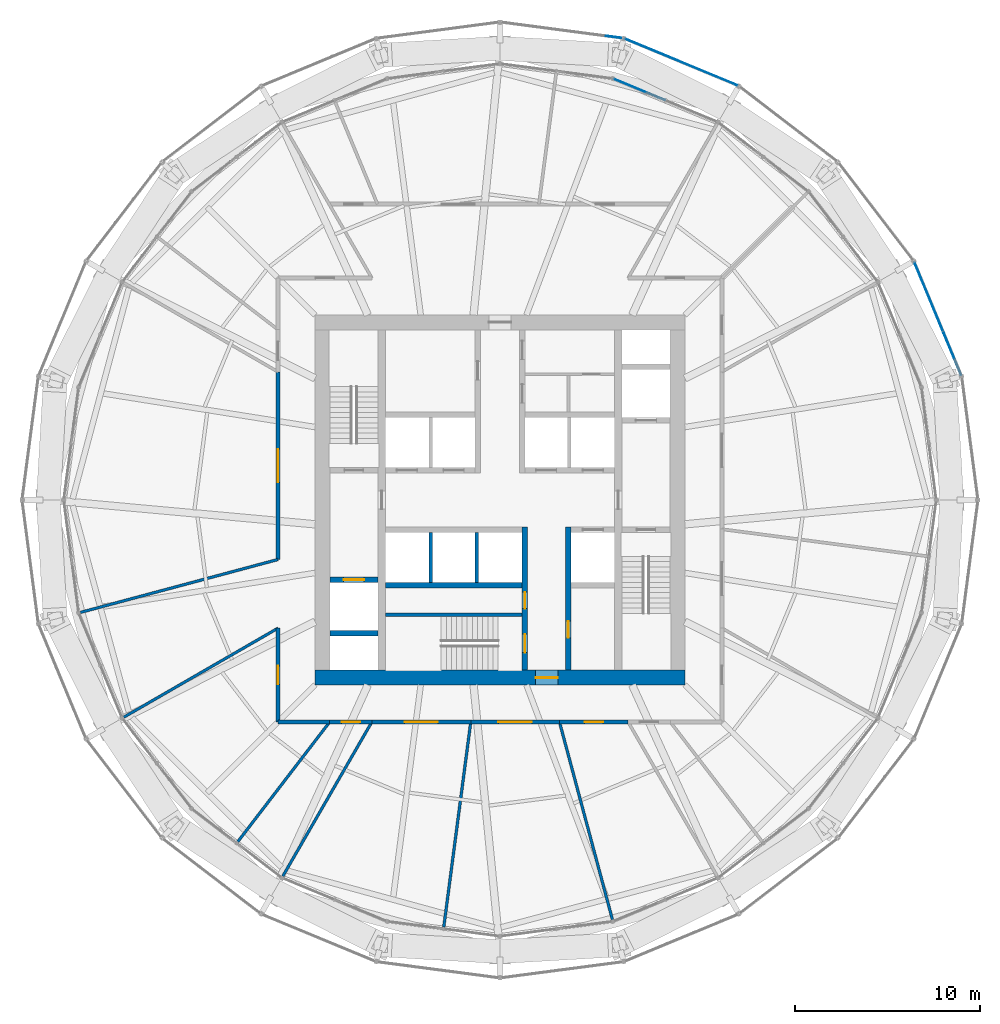
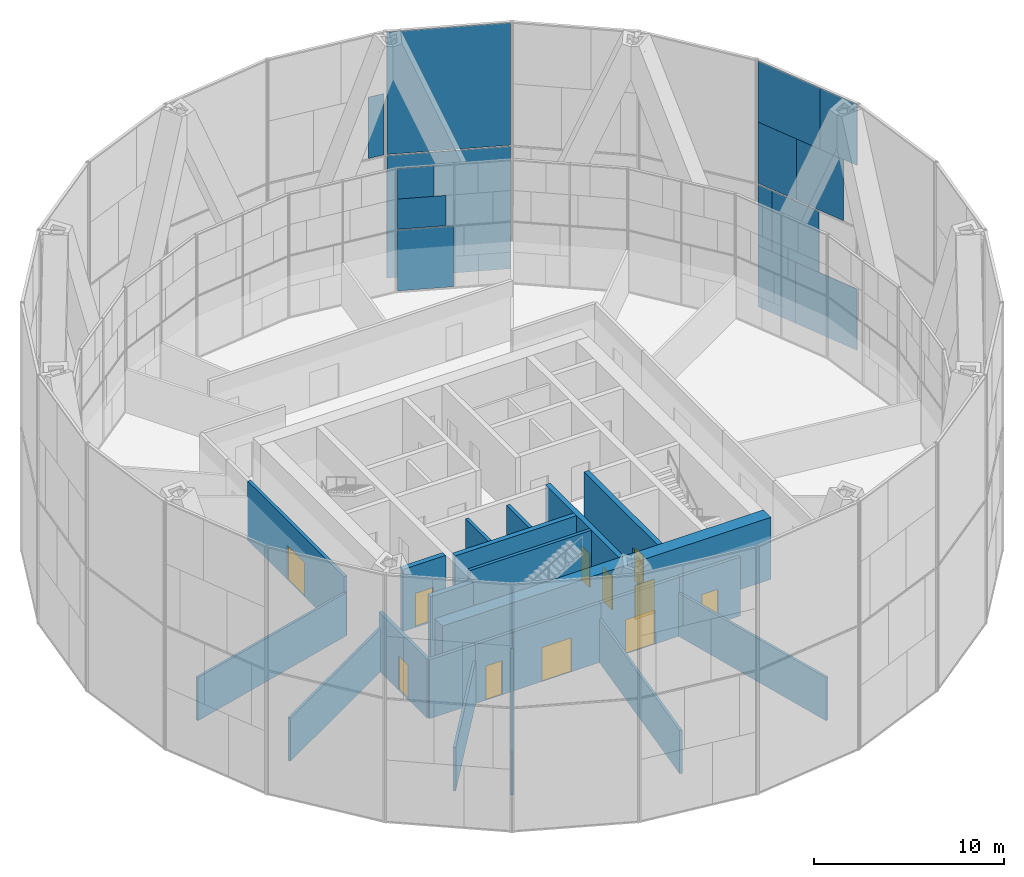
# One storey, part 19 of 22: 22 walls, 14 plates, 11 doors, 11 openings, 4 elements without a shape of their own.
"""IFC4 building model written with IfcOpenShell, lengths in metres."""

from ifc_helpers import new_model, si_unit, direction, frame, frame_2d, origin, origin_2d, place, context, subcontext, project, spatial, rectangle, extrude, material, layer, layer_set, type_object, element, fill, aggregate, save


model = new_model("IFC4")

# Units and contexts
model_context = context("Model", 3, precision=1e-05, world=origin(), true_north=direction((0.0, 1.0)))
body_context = subcontext(model_context, "Body", "Model", "MODEL_VIEW")
ifc_project = project(units=[si_unit("LENGTHUNIT", "METRE"), si_unit("AREAUNIT", "SQUARE_METRE"), si_unit("VOLUMEUNIT", "CUBIC_METRE"), si_unit("PLANEANGLEUNIT", "RADIAN"), si_unit("MASSUNIT", "GRAM", prefix="KILO")], contexts=[model_context])

# Site, building, storey
site_placement = place(None, origin())
site = spatial("IfcSite", under=ifc_project, at=site_placement, CompositionType="ELEMENT")
building_placement = place(site_placement, origin())
building = spatial("IfcBuilding", under=site, at=building_placement, Name="Golbaran Civic Tower", CompositionType="ELEMENT")
storey_placement = place(building_placement, frame((0.0, 0.0, 53.0)))
storey = spatial("IfcBuildingStorey", under=building, at=storey_placement, Name="L12", CompositionType="ELEMENT", Elevation=53.0)

# Curtain wall, plates
ifc_material_1 = material(Name="Aluminium and glass", Category="aluminium")
curtain_wall_type_1 = type_object("IfcCurtainWallType", Name="INNER SKIN CURTAIN WALL", PredefinedType="NOTDEFINED", material=ifc_material_1)
curtain_wall_1_placement = place(storey_placement, origin())
curtain_wall_1 = element("IfcCurtainWall", 1, at=curtain_wall_1_placement, inside=storey, type_object=curtain_wall_type_1, Name="Inner skin L12 facet 5 CW1", ObjectType="INNER SKIN", PredefinedType="USERDEFINED")
ifc_material_2 = material(Name="Clear insulating glass", Category="glass")
ifc_layer_1 = layer(ifc_material_2, 0.031982421875, Name="Clear insulating glass")
ifc_layer_set_1 = layer_set([ifc_layer_1], Name="Clear insulating glass")
plate_type_1 = type_object("IfcPlateType", Name="INNER SKIN CURTAIN WALL GLAZED PANEL", PredefinedType="CURTAIN_PANEL", material=ifc_layer_set_1)
plate_1_placement = place(storey_placement, frame((7.541259765625, 22.18603515625, 0.06494140625), z_axis=(0.0, 0.0, 1.0), x_axis=(-0.923879532491, 0.382683432413, 0.0)))
plate_1 = element("IfcPlate", 2, at=plate_1_placement, type_object=plate_type_1, Name="CW1 panel 2.1", PredefinedType="CURTAIN_PANEL", context=body_context, shape_type="SweptSolid", body=[
    extrude(rectangle(XDim=2.98095703125, YDim=0.031982421875, at=origin_2d()), origin(), (0.0, 0.0, 1.0), 3.902587890625),
])
plate_2_placement = place(storey_placement, frame((7.3564453125, 22.2626953125, 4.032470703125), z_axis=(0.0, 0.0, 1.0), x_axis=(-0.923879532491, 0.382683432413, 0.0)))
plate_2 = element("IfcPlate", 3, at=plate_2_placement, type_object=plate_type_1, Name="CW1 panel 2.2 part 2", PredefinedType="CURTAIN_PANEL", context=body_context, shape_type="SweptSolid", body=[
    extrude(rectangle(XDim=2.5810546875, YDim=0.031982421875, at=origin_2d()), origin(), (0.0, 0.0, 1.0), 1.951171875),
])
plate_3_placement = place(storey_placement, frame((7.05859375, 22.385986328125, 5.98388671875), z_axis=(0.0, 0.0, 1.0), x_axis=(-0.923879532491, 0.382683432413, 0.0)))
plate_3 = element("IfcPlate", 4, at=plate_3_placement, type_object=plate_type_1, Name="CW1 panel 2.2 part 4", PredefinedType="CURTAIN_PANEL", context=body_context, shape_type="SweptSolid", body=[
    extrude(rectangle(XDim=1.93603515625, YDim=0.031982421875, at=origin_2d()), origin(), (0.0, 0.0, 1.0), 1.951171875),
])
aggregate(curtain_wall_1, [plate_1, plate_2, plate_3])

curtain_wall_type_2 = type_object("IfcCurtainWallType", Name="OUTER SKIN TERRACOTTA SCREEN", PredefinedType="NOTDEFINED", material=ifc_material_1)
curtain_wall_2_placement = place(storey_placement, origin())
curtain_wall_2 = element("IfcCurtainWall", 5, at=curtain_wall_2_placement, inside=storey, type_object=curtain_wall_type_2, Name="Outer skin L12 facet 2 CW3", ObjectType="OUTER SKIN", PredefinedType="USERDEFINED")
ifc_material_3 = material(Name="Clear laminated glass", Category="glass")
ifc_layer_2 = layer(ifc_material_3, 0.0400390625, Name="Clear laminated glass")
ifc_layer_set_2 = layer_set([ifc_layer_2], Name="Clear laminated glass")
plate_type_2 = type_object("IfcPlateType", Name="OUTER SKIN CLEAR GLASS PANEL", PredefinedType="CURTAIN_PANEL", material=ifc_layer_set_2)
plate_4_placement = place(storey_placement, frame((24.14453125, 8.658203125, -0.6298828125), z_axis=(0.0, 0.0, 1.0), x_axis=(-0.382683432349, 0.923879532518, 0.0)))
plate_4 = element("IfcPlate", 6, at=plate_4_placement, type_object=plate_type_2, Name="CW3 panel 1.1 part 1", PredefinedType="CURTAIN_PANEL", context=body_context, shape_type="SweptSolid", body=[
    extrude(rectangle(XDim=4.10498046875, YDim=0.0400390625, at=origin_2d()), origin(), (0.0, 0.0, 1.0), 3.93994140625),
])
plate_5_placement = place(storey_placement, frame((22.588623046875, 12.414306640625, 3.31005859375), z_axis=(0.0, 0.0, 1.0), x_axis=(-0.382683432349, 0.923879532518, 0.0)))
plate_5 = element("IfcPlate", 7, at=plate_5_placement, type_object=plate_type_2, Name="CW3 panel 1.1 part 5", PredefinedType="CURTAIN_PANEL", context=body_context, shape_type="SweptSolid", body=[
    extrude(rectangle(XDim=0.935791015625, YDim=0.0400390625, at=origin_2d()), origin(), (0.0, 0.0, 1.0), 3.93994140625),
])
plate_6_placement = place(storey_placement, frame((22.89794921875, 11.667236328125, 7.330078125), z_axis=(0.0, 0.0, 1.0), x_axis=(-0.382683432349, 0.923879532518, 0.0)))
plate_6 = element("IfcPlate", 8, at=plate_6_placement, type_object=plate_type_2, Name="CW3 panel 1.2 part 3", PredefinedType="CURTAIN_PANEL", context=body_context, shape_type="SweptSolid", body=[
    extrude(rectangle(XDim=2.552734375, YDim=0.0400390625, at=origin_2d()), origin(), (0.0, 0.0, 1.0), 3.93994140625),
])
plate_7_placement = place(storey_placement, frame((23.201416015625, 10.93505859375, 11.27001953125), z_axis=(0.0, 0.0, 1.0), x_axis=(-0.382683432349, 0.923879532518, 0.0)))
plate_7 = element("IfcPlate", 9, at=plate_7_placement, type_object=plate_type_2, Name="CW3 panel 1.2 part 5", PredefinedType="CURTAIN_PANEL", context=body_context, shape_type="SweptSolid", body=[
    extrude(rectangle(XDim=4.137939453125, YDim=0.0400390625, at=origin_2d()), origin(), (0.0, 0.0, 1.0), 3.93994140625),
])

# Curtain wall, plate
curtain_wall_3_placement = place(storey_placement, origin())
curtain_wall_3 = element("IfcCurtainWall", 10, at=curtain_wall_3_placement, inside=storey, type_object=curtain_wall_type_2, Name="Outer skin L12 facet 6 CW3", ObjectType="OUTER SKIN", PredefinedType="USERDEFINED")
plate_8_placement = place(storey_placement, frame((6.169677734375, 25.02880859375, 7.330078125), z_axis=(0.0, 0.0, 1.0), x_axis=(-0.991444861369, 0.130526192255, 0.0)))
plate_8 = element("IfcPlate", 11, at=plate_8_placement, type_object=plate_type_2, Name="CW3 panel 1.2 part 1", PredefinedType="CURTAIN_PANEL", context=body_context, shape_type="SweptSolid", body=[
    extrude(rectangle(XDim=0.885986328125, YDim=0.0400390625, at=origin_2d()), origin(), (0.0, 0.0, 1.0), 3.93994140625),
])
aggregate(curtain_wall_3, [plate_8])

# Plate
ifc_material_4 = material(Name="Terracotta baguette screen", Category="masonry")
ifc_layer_3 = layer(ifc_material_4, 0.0400390625, Name="Terracotta baguette screen")
ifc_layer_set_3 = layer_set([ifc_layer_3], Name="Terracotta baguette screen")
plate_type_3 = type_object("IfcPlateType", Name="OUTER SKIN TERRACOTTA INFILL PANEL", PredefinedType="CURTAIN_PANEL", material=ifc_layer_set_3)
plate_9_placement = place(storey_placement, frame((22.88427734375, 11.70068359375, -0.6298828125), z_axis=(0.0, 0.0, 1.0), x_axis=(-0.382683432349, 0.923879532518, 0.0)))
plate_9 = element("IfcPlate", 12, at=plate_9_placement, type_object=plate_type_3, Name="CW3 infill panel 1.1 part 2", PredefinedType="CURTAIN_PANEL", context=body_context, shape_type="SweptSolid", body=[
    extrude(rectangle(XDim=2.48095703125, YDim=0.0400390625, at=origin_2d()), origin(), (0.0, 0.0, 1.0), 3.93994140625),
])

plate_10_placement = place(storey_placement, frame((23.368408203125, 10.531982421875, 3.31005859375), z_axis=(0.0, 0.0, 1.0), x_axis=(-0.382683432349, 0.923879532518, 0.0)))
plate_10 = element("IfcPlate", 13, at=plate_10_placement, type_object=plate_type_3, Name="CW3 infill panel 1.1 part 4", PredefinedType="CURTAIN_PANEL", context=body_context, shape_type="SweptSolid", body=[
    extrude(rectangle(XDim=3.138916015625, YDim=0.0400390625, at=origin_2d()), origin(), (0.0, 0.0, 1.0), 3.93994140625),
])

plate_11_placement = place(storey_placement, frame((23.98876953125, 9.034423828125, 7.330078125), z_axis=(0.0, 0.0, 1.0), x_axis=(-0.382683432349, 0.923879532518, 0.0)))
plate_11 = element("IfcPlate", 14, at=plate_11_placement, type_object=plate_type_3, Name="CW3 infill panel 1.2 part 2", PredefinedType="CURTAIN_PANEL", context=body_context, shape_type="SweptSolid", body=[
    extrude(rectangle(XDim=3.14697265625, YDim=0.0400390625, at=origin_2d()), origin(), (0.0, 0.0, 1.0), 3.93994140625),
])

plate_12_placement = place(storey_placement, frame((24.46142578125, 7.892822265625, 11.27001953125), z_axis=(0.0, 0.0, 1.0), x_axis=(-0.382683432349, 0.923879532518, 0.0)))
plate_12 = element("IfcPlate", 15, at=plate_12_placement, type_object=plate_type_3, Name="CW3 infill panel 1.2 part 4", PredefinedType="CURTAIN_PANEL", context=body_context, shape_type="SweptSolid", body=[
    extrude(rectangle(XDim=2.447998046875, YDim=0.0400390625, at=origin_2d()), origin(), (0.0, 0.0, 1.0), 3.93994140625),
])

aggregate(curtain_wall_2, [plate_4, plate_9, plate_10, plate_5, plate_11, plate_6, plate_12, plate_7])

# Curtain wall, plates
curtain_wall_4_placement = place(storey_placement, origin())
curtain_wall_4 = element("IfcCurtainWall", 16, at=curtain_wall_4_placement, inside=storey, type_object=curtain_wall_type_2, Name="Outer skin L12 facet 5 CW3", ObjectType="OUTER SKIN", PredefinedType="USERDEFINED")
ifc_layer_4 = layer(ifc_material_4, 0.0400390625, Name="Terracotta baguette screen")
ifc_layer_set_4 = layer_set([ifc_layer_4], Name="Terracotta baguette screen")
plate_type_4 = type_object("IfcPlateType", Name="OUTER SKIN TERRACOTTA SCREEN PANEL", PredefinedType="CURTAIN_PANEL", material=ifc_layer_set_4)
plate_13_placement = place(storey_placement, frame((9.804443359375, 23.669677734375, -0.6298828125), z_axis=(0.0, 0.0, 1.0), x_axis=(-0.923879532518, 0.382683432349, 0.0)))
plate_13 = element("IfcPlate", 17, at=plate_13_placement, type_object=plate_type_4, Name="CW3 terracotta screen panel 1.1", PredefinedType="CURTAIN_PANEL", context=body_context, shape_type="SweptSolid", body=[
    extrude(rectangle(XDim=6.5859375, YDim=0.0400390625, at=origin_2d()), origin(), (0.0, 0.0, 1.0), 7.8798828125),
])
plate_14_placement = place(storey_placement, frame((9.804443359375, 23.669677734375, 7.330078125), z_axis=(0.0, 0.0, 1.0), x_axis=(-0.923879532518, 0.382683432349, 0.0)))
plate_14 = element("IfcPlate", 18, at=plate_14_placement, type_object=plate_type_4, Name="CW3 terracotta screen panel 1.2", PredefinedType="CURTAIN_PANEL", context=body_context, shape_type="SweptSolid", body=[
    extrude(rectangle(XDim=6.5859375, YDim=0.0400390625, at=origin_2d()), origin(), (0.0, 0.0, 1.0), 7.8798828125),
])
aggregate(curtain_wall_4, [plate_13, plate_14])

# Wall, opening, door
ifc_material_5 = material(Name="Concrete C50/60", Category="concrete")
ifc_layer_5 = layer(ifc_material_5, 0.800048828125, Name="Concrete C50/60")
ifc_layer_set_5 = layer_set([ifc_layer_5], Name="Concrete C50/60")
wall_type_1 = type_object("IfcWallType", Name="CORE WALL CONCRETE 800", PredefinedType="SOLIDWALL", material=ifc_layer_set_5)
wall_1_placement = place(storey_placement, frame((10.0, -9.60009765625, 0.0), z_axis=(0.0, 0.0, 1.0), x_axis=(-1.0, 0.0, 0.0)))
wall_1 = element("IfcWall", 19, at=wall_1_placement, inside=storey, type_object=wall_type_1, Name="Core wall CS L12", PredefinedType="SOLIDWALL", context=body_context, shape_type="SweptSolid", body=[
    extrude(rectangle(XDim=20.0, YDim=0.800048828125, at=frame_2d((10.0, 0.0))), origin(), (0.0, 0.0, 1.0), 4.0),
])
opening_1_placement = place(wall_1_placement, frame((6.875, 0.0, 0.0)))
opening_1 = element("IfcOpeningElement", 20, at=opening_1_placement, cuts=wall_1, Name="Opening L12.CS", PredefinedType="OPENING", context=body_context, shape_type="SweptSolid", body=[
    extrude(rectangle(XDim=1.199951171875, YDim=2.199951171875, at=frame_2d((0.60009765625, 1.10009765625))), frame((0.0, 0.409912109375, 0.0), z_axis=(0.0, -1.0, 0.0), x_axis=(1.0, 0.0, 0.0)), (0.0, 0.0, 1.0), 0.820068359375),
])
ifc_material_6 = material(Name="Timber door set in steel frame", Category="steel")
door_type_1 = type_object("IfcDoorType", Name="CORE DOOR 1200x2200", OperationType="DOUBLE_DOOR_SINGLE_SWING", PredefinedType="DOOR", material=ifc_material_6)
door_1_placement = place(opening_1_placement, origin())
door_1 = element("IfcDoor", 21, at=door_1_placement, inside=storey, type_object=door_type_1, Name="Core door south", OperationType="DOUBLE_DOOR_SINGLE_SWING", OverallHeight=2.199951171875, OverallWidth=1.199951171875, PredefinedType="DOOR", context=body_context, shape_type="SweptSolid", body=[
    extrude(rectangle(XDim=1.199951171875, YDim=2.199951171875, at=frame_2d((0.60009765625, 1.10009765625))), frame((0.0, 0.02490234375, 0.0), z_axis=(0.0, -1.0, 0.0), x_axis=(1.0, 0.0, 0.0)), (0.0, 0.0, 1.0), 0.050048828125),
])
fill(opening_1, door_1)

ifc_material_7 = material(Name="Gypsum board on steel studs, fire-rated", Category="steel")
ifc_layer_6 = layer(ifc_material_7, 0.199951171875, Name="Gypsum board on steel studs, fire-rated")
ifc_layer_set_6 = layer_set([ifc_layer_6], Name="Gypsum board on steel studs, fire-rated")
wall_type_2 = type_object("IfcWallType", Name="CORRIDOR WALL 200", PredefinedType="PARTITIONING", material=ifc_layer_set_6)
wall_2_placement = place(storey_placement, frame((-12.0, 6.92822265625, 0.0), z_axis=(0.0, 0.0, 1.0), x_axis=(0.0, -1.0, 0.0)))
wall_2 = element("IfcWall", 22, at=wall_2_placement, inside=storey, type_object=wall_type_2, Name="Corridor wall L12", PredefinedType="PARTITIONING", context=body_context, shape_type="SweptSolid", body=[
    extrude(rectangle(XDim=10.1435546875, YDim=0.199951171875, at=frame_2d((5.07177734375, 0.0))), origin(), (0.0, 0.0, 1.0), 3.800048828125),
])
opening_2_placement = place(wall_2_placement, frame((4.171875, 0.0, 0.0)))
opening_2 = element("IfcOpeningElement", 23, at=opening_2_placement, cuts=wall_2, Name="Opening L12.10", PredefinedType="OPENING", context=body_context, shape_type="SweptSolid", body=[
    extrude(rectangle(XDim=1.800048828125, YDim=2.199951171875, at=frame_2d((0.89990234375, 1.10009765625))), frame((0.0, 0.10986328125, 0.0), z_axis=(0.0, -1.0, 0.0), x_axis=(1.0, 0.0, 0.0)), (0.0, 0.0, 1.0), 0.219970703125),
])
door_type_2 = type_object("IfcDoorType", Name="OFFICE DOUBLE DOOR 1800x2200", OperationType="DOUBLE_DOOR_SINGLE_SWING", PredefinedType="DOOR", material=ifc_material_6)
door_2_placement = place(opening_2_placement, origin())
door_2 = element("IfcDoor", 24, at=door_2_placement, inside=storey, type_object=door_type_2, Name="Meeting Room door L12", OperationType="DOUBLE_DOOR_SINGLE_SWING", OverallHeight=2.199951171875, OverallWidth=1.800048828125, PredefinedType="DOOR", context=body_context, shape_type="SweptSolid", body=[
    extrude(rectangle(XDim=1.800048828125, YDim=2.199951171875, at=frame_2d((0.89990234375, 1.10009765625))), frame((0.0, 0.02490234375, 0.0), z_axis=(0.0, -1.0, 0.0), x_axis=(1.0, 0.0, 0.0)), (0.0, 0.0, 1.0), 0.050048828125),
])
fill(opening_2, door_2)

wall_3_placement = place(storey_placement, frame((-12.0, -6.92822265625, 0.0), z_axis=(0.0, 0.0, 1.0), x_axis=(0.0, -1.0, 0.0)))
wall_3 = element("IfcWall", 25, at=wall_3_placement, inside=storey, type_object=wall_type_2, Name="Corridor wall L12", PredefinedType="PARTITIONING", context=body_context, shape_type="SweptSolid", body=[
    extrude(rectangle(XDim=5.07177734375, YDim=0.199951171875, at=frame_2d((2.535888671875, 0.0))), origin(), (0.0, 0.0, 1.0), 3.800048828125),
])
opening_3_placement = place(wall_3_placement, frame((2.035888671875, 0.0, 0.0)))
opening_3 = element("IfcOpeningElement", 26, at=opening_3_placement, cuts=wall_3, Name="Opening L12.11", PredefinedType="OPENING", context=body_context, shape_type="SweptSolid", body=[
    extrude(rectangle(XDim=1.0, YDim=2.199951171875, at=frame_2d((0.5, 1.10009765625))), frame((0.0, 0.10986328125, 0.0), z_axis=(0.0, -1.0, 0.0), x_axis=(1.0, 0.0, 0.0)), (0.0, 0.0, 1.0), 0.219970703125),
])
door_type_3 = type_object("IfcDoorType", Name="OFFICE DOOR 1000x2200", OperationType="SINGLE_SWING_LEFT", PredefinedType="DOOR", material=ifc_material_6)
door_3_placement = place(opening_3_placement, origin())
door_3 = element("IfcDoor", 27, at=door_3_placement, inside=storey, type_object=door_type_3, Name="Office door L12", OperationType="SINGLE_SWING_RIGHT", OverallHeight=2.199951171875, OverallWidth=1.0, PredefinedType="DOOR", context=body_context, shape_type="SweptSolid", body=[
    extrude(rectangle(XDim=1.0, YDim=2.199951171875, at=frame_2d((0.5, 1.10009765625))), frame((0.0, 0.02490234375, 0.0), z_axis=(0.0, -1.0, 0.0), x_axis=(1.0, 0.0, 0.0)), (0.0, 0.0, 1.0), 0.050048828125),
])
fill(opening_3, door_3)

# Wall
wall_4_placement = place(storey_placement, frame((-12.0, -12.0, 0.0), z_axis=(0.0, 0.0, 1.0), x_axis=(1.0, 0.0, 0.0)))
element("IfcWall", 28, at=wall_4_placement, inside=storey, type_object=wall_type_2, Name="Corridor wall L12", PredefinedType="PARTITIONING", context=body_context, shape_type="SweptSolid", body=[
    extrude(rectangle(XDim=2.7919921875, YDim=0.199951171875, at=frame_2d((1.39599609375, 0.0))), origin(), (0.0, 0.0, 1.0), 3.800048828125),
])

# Wall, opening, door
wall_5_placement = place(storey_placement, frame((-9.2080078125, -12.0, 0.0), z_axis=(0.0, 0.0, 1.0), x_axis=(1.0, 0.0, 0.0)))
wall_5 = element("IfcWall", 29, at=wall_5_placement, inside=storey, type_object=wall_type_2, Name="Corridor wall L12", PredefinedType="PARTITIONING", context=body_context, shape_type="SweptSolid", body=[
    extrude(rectangle(XDim=2.27978515625, YDim=0.199951171875, at=frame_2d((1.139892578125, 0.0))), origin(), (0.0, 0.0, 1.0), 3.800048828125),
])
opening_4_placement = place(wall_5_placement, frame((0.639892578125, 0.0, 0.0)))
opening_4 = element("IfcOpeningElement", 30, at=opening_4_placement, cuts=wall_5, Name="Opening L12.12", PredefinedType="OPENING", context=body_context, shape_type="SweptSolid", body=[
    extrude(rectangle(XDim=1.0, YDim=2.199951171875, at=frame_2d((0.5, 1.10009765625))), frame((0.0, 0.10986328125, 0.0), z_axis=(0.0, -1.0, 0.0), x_axis=(1.0, 0.0, 0.0)), (0.0, 0.0, 1.0), 0.219970703125),
])
door_4_placement = place(opening_4_placement, origin())
door_4 = element("IfcDoor", 31, at=door_4_placement, inside=storey, type_object=door_type_3, Name="Meeting Room door L12", OperationType="SINGLE_SWING_LEFT", OverallHeight=2.199951171875, OverallWidth=1.0, PredefinedType="DOOR", context=body_context, shape_type="SweptSolid", body=[
    extrude(rectangle(XDim=1.0, YDim=2.199951171875, at=frame_2d((0.5, 1.10009765625))), frame((0.0, 0.02490234375, 0.0), z_axis=(0.0, -1.0, 0.0), x_axis=(1.0, 0.0, 0.0)), (0.0, 0.0, 1.0), 0.050048828125),
])
fill(opening_4, door_4)

wall_6_placement = place(storey_placement, frame((-6.92822265625, -12.0, 0.0), z_axis=(0.0, 0.0, 1.0), x_axis=(1.0, 0.0, 0.0)))
wall_6 = element("IfcWall", 32, at=wall_6_placement, inside=storey, type_object=wall_type_2, Name="Corridor wall L12", PredefinedType="PARTITIONING", context=body_context, shape_type="SweptSolid", body=[
    extrude(rectangle(XDim=5.348388671875, YDim=0.199951171875, at=frame_2d((2.67431640625, 0.0))), origin(), (0.0, 0.0, 1.0), 3.800048828125),
])
opening_5_placement = place(wall_6_placement, frame((1.774169921875, 0.0, 0.0)))
opening_5 = element("IfcOpeningElement", 33, at=opening_5_placement, cuts=wall_6, Name="Opening L12.13", PredefinedType="OPENING", context=body_context, shape_type="SweptSolid", body=[
    extrude(rectangle(XDim=1.800048828125, YDim=2.199951171875, at=frame_2d((0.89990234375, 1.10009765625))), frame((0.0, 0.10986328125, 0.0), z_axis=(0.0, -1.0, 0.0), x_axis=(1.0, 0.0, 0.0)), (0.0, 0.0, 1.0), 0.219970703125),
])
door_5_placement = place(opening_5_placement, origin())
door_5 = element("IfcDoor", 34, at=door_5_placement, inside=storey, type_object=door_type_2, Name="Open Office door L12", OperationType="DOUBLE_DOOR_SINGLE_SWING", OverallHeight=2.199951171875, OverallWidth=1.800048828125, PredefinedType="DOOR", context=body_context, shape_type="SweptSolid", body=[
    extrude(rectangle(XDim=1.800048828125, YDim=2.199951171875, at=frame_2d((0.89990234375, 1.10009765625))), frame((0.0, 0.02490234375, 0.0), z_axis=(0.0, -1.0, 0.0), x_axis=(1.0, 0.0, 0.0)), (0.0, 0.0, 1.0), 0.050048828125),
])
fill(opening_5, door_5)

wall_7_placement = place(storey_placement, frame((-1.579833984375, -12.0, 0.0), z_axis=(0.0, 0.0, 1.0), x_axis=(1.0, 0.0, 0.0)))
wall_7 = element("IfcWall", 35, at=wall_7_placement, inside=storey, type_object=wall_type_2, Name="Corridor wall L12", PredefinedType="PARTITIONING", context=body_context, shape_type="SweptSolid", body=[
    extrude(rectangle(XDim=4.795166015625, YDim=0.199951171875, at=frame_2d((2.3974609375, 0.0))), origin(), (0.0, 0.0, 1.0), 3.800048828125),
])
opening_6_placement = place(wall_7_placement, frame((1.49755859375, 0.0, 0.0)))
opening_6 = element("IfcOpeningElement", 36, at=opening_6_placement, cuts=wall_7, Name="Opening L12.14", PredefinedType="OPENING", context=body_context, shape_type="SweptSolid", body=[
    extrude(rectangle(XDim=1.800048828125, YDim=2.199951171875, at=frame_2d((0.89990234375, 1.10009765625))), frame((0.0, 0.10986328125, 0.0), z_axis=(0.0, -1.0, 0.0), x_axis=(1.0, 0.0, 0.0)), (0.0, 0.0, 1.0), 0.219970703125),
])
door_6_placement = place(opening_6_placement, origin())
door_6 = element("IfcDoor", 37, at=door_6_placement, inside=storey, type_object=door_type_2, Name="Open Office door L12", OperationType="DOUBLE_DOOR_SINGLE_SWING", OverallHeight=2.199951171875, OverallWidth=1.800048828125, PredefinedType="DOOR", context=body_context, shape_type="SweptSolid", body=[
    extrude(rectangle(XDim=1.800048828125, YDim=2.199951171875, at=frame_2d((0.89990234375, 1.10009765625))), frame((0.0, 0.02490234375, 0.0), z_axis=(0.0, -1.0, 0.0), x_axis=(1.0, 0.0, 0.0)), (0.0, 0.0, 1.0), 0.050048828125),
])
fill(opening_6, door_6)

wall_8_placement = place(storey_placement, frame((3.21533203125, -12.0, 0.0), z_axis=(0.0, 0.0, 1.0), x_axis=(1.0, 0.0, 0.0)))
wall_8 = element("IfcWall", 38, at=wall_8_placement, inside=storey, type_object=wall_type_2, Name="Corridor wall L12", PredefinedType="PARTITIONING", context=body_context, shape_type="SweptSolid", body=[
    extrude(rectangle(XDim=3.712890625, YDim=0.199951171875, at=frame_2d((1.8564453125, 0.0))), origin(), (0.0, 0.0, 1.0), 3.800048828125),
])
opening_7_placement = place(wall_8_placement, frame((1.3564453125, 0.0, 0.0)))
opening_7 = element("IfcOpeningElement", 39, at=opening_7_placement, cuts=wall_8, Name="Opening L12.15", PredefinedType="OPENING", context=body_context, shape_type="SweptSolid", body=[
    extrude(rectangle(XDim=1.0, YDim=2.199951171875, at=frame_2d((0.5, 1.10009765625))), frame((0.0, 0.10986328125, 0.0), z_axis=(0.0, -1.0, 0.0), x_axis=(1.0, 0.0, 0.0)), (0.0, 0.0, 1.0), 0.219970703125),
])
door_7_placement = place(opening_7_placement, origin())
door_7 = element("IfcDoor", 40, at=door_7_placement, inside=storey, type_object=door_type_3, Name="Project Room door L12", OperationType="SINGLE_SWING_LEFT", OverallHeight=2.199951171875, OverallWidth=1.0, PredefinedType="DOOR", context=body_context, shape_type="SweptSolid", body=[
    extrude(rectangle(XDim=1.0, YDim=2.199951171875, at=frame_2d((0.5, 1.10009765625))), frame((0.0, 0.02490234375, 0.0), z_axis=(0.0, -1.0, 0.0), x_axis=(1.0, 0.0, 0.0)), (0.0, 0.0, 1.0), 0.050048828125),
])
fill(opening_7, door_7)

# Walls
ifc_material_8 = material(Name="Concrete block", Category="concrete")
ifc_layer_7 = layer(ifc_material_8, 0.199951171875, Name="Concrete block")
ifc_layer_set_7 = layer_set([ifc_layer_7], Name="Concrete block")
wall_type_3 = type_object("IfcWallType", Name="LIFT SEPARATOR WALL 200", PredefinedType="SOLIDWALL", material=ifc_layer_set_7)
for number, where, z_axis, x_axis, name in (
    (41, (-3.75, -1.75, 0.0), (0.0, 0.0, 1.0), (0.0, -1.0, 0.0), "Core partition SSW L12"),
    (42, (-1.25, -1.75, 0.0), (0.0, 0.0, 1.0), (0.0, -1.0, 0.0), "Core partition SSM L12"),
):
    element("IfcWall", number, at=place(storey_placement, frame(where, z_axis=z_axis, x_axis=x_axis)), inside=storey, type_object=wall_type_3, Name=name, PredefinedType="SOLIDWALL", context=body_context, shape_type="SweptSolid", body=[
        extrude(rectangle(XDim=2.699951171875, YDim=0.199951171875, at=frame_2d((1.35009765625, 0.0))), origin(), (0.0, 0.0, 1.0), 3.75),
    ])
ifc_material_9 = material(Name="Gypsum board on steel studs", Category="steel")
ifc_layer_8 = layer(ifc_material_9, 0.14990234375, Name="Gypsum board on steel studs")
ifc_layer_set_8 = layer_set([ifc_layer_8], Name="Gypsum board on steel studs")
wall_type_4 = type_object("IfcWallType", Name="OFFICE PARTITION 150", PredefinedType="PARTITIONING", material=ifc_layer_set_8)
wall_9_placement = place(storey_placement, frame((-12.0, -3.21533203125, 0.0), z_axis=(0.0, 0.0, 1.0), x_axis=(-0.965922753078, -0.258830514209, 0.0)))
element("IfcWall", 43, at=wall_9_placement, inside=storey, type_object=wall_type_4, Name="Partition 195 L12", PredefinedType="PARTITIONING", context=body_context, shape_type="SweptSolid", body=[
    extrude(rectangle(XDim=11.07080078125, YDim=0.14990234375, at=frame_2d((5.535400390625, 0.0))), origin(), (0.0, 0.0, 1.0), 2.7900390625),
])
wall_10_placement = place(storey_placement, frame((-12.0, -6.92822265625, 0.0), z_axis=(0.0, 0.0, 1.0), x_axis=(-0.866030350715, -0.499991431567, 0.0)))
element("IfcWall", 44, at=wall_10_placement, inside=storey, type_object=wall_type_4, Name="Partition 210 L12", PredefinedType="PARTITIONING", context=body_context, shape_type="SweptSolid", body=[
    extrude(rectangle(XDim=9.637939453125, YDim=0.14990234375, at=frame_2d((4.81884765625, 0.0))), origin(), (0.0, 0.0, 1.0), 2.7900390625),
])
wall_11_placement = place(storey_placement, frame((-9.2080078125, -12.0, 0.0), z_axis=(0.0, 0.0, 1.0), x_axis=(-0.608749658954, -0.793362371633, 0.0)))
element("IfcWall", 45, at=wall_11_placement, inside=storey, type_object=wall_type_4, Name="Partition 232.5 L12", PredefinedType="PARTITIONING", context=body_context, shape_type="SweptSolid", body=[
    extrude(rectangle(XDim=8.16748046875, YDim=0.14990234375, at=frame_2d((4.083740234375, 0.0))), origin(), (0.0, 0.0, 1.0), 2.7900390625),
])
wall_12_placement = place(storey_placement, frame((-6.92822265625, -12.0, 0.0), z_axis=(0.0, 0.0, 1.0), x_axis=(-0.499991431567, -0.866030350715, 0.0)))
element("IfcWall", 46, at=wall_12_placement, inside=storey, type_object=wall_type_4, Name="Partition 240 L12", PredefinedType="PARTITIONING", context=body_context, shape_type="SweptSolid", body=[
    extrude(rectangle(XDim=9.637939453125, YDim=0.14990234375, at=frame_2d((4.81884765625, 0.0))), origin(), (0.0, 0.0, 1.0), 2.7900390625),
])
wall_13_placement = place(storey_placement, frame((-1.579833984375, -12.0, 0.0), z_axis=(0.0, 0.0, 1.0), x_axis=(-0.130517160134, -0.991446050429, 0.0)))
element("IfcWall", 47, at=wall_13_placement, inside=storey, type_object=wall_type_4, Name="Partition 262.5 L12", PredefinedType="PARTITIONING", context=body_context, shape_type="SweptSolid", body=[
    extrude(rectangle(XDim=11.189697265625, YDim=0.14990234375, at=frame_2d((5.5947265625, 0.0))), origin(), (0.0, 0.0, 1.0), 2.7900390625),
])
wall_14_placement = place(storey_placement, frame((3.21533203125, -12.0, 0.0), z_axis=(0.0, 0.0, 1.0), x_axis=(0.258830514209, -0.965922753078, 0.0)))
element("IfcWall", 48, at=wall_14_placement, inside=storey, type_object=wall_type_4, Name="Partition 285 L12", PredefinedType="PARTITIONING", context=body_context, shape_type="SweptSolid", body=[
    extrude(rectangle(XDim=11.07080078125, YDim=0.14990234375, at=frame_2d((5.535400390625, 0.0))), origin(), (0.0, 0.0, 1.0), 2.7900390625),
])
ifc_layer_9 = layer(ifc_material_5, 0.199951171875, Name="Concrete C50/60")
ifc_layer_set_9 = layer_set([ifc_layer_9], Name="Concrete C50/60")
wall_type_5 = type_object("IfcWallType", Name="SHAFT WALL CONCRETE 200", PredefinedType="SOLIDWALL", material=ifc_layer_set_9)
wall_15_placement = place(storey_placement, frame((-6.199951171875, -6.199951171875, 0.0), z_axis=(0.0, 0.0, 1.0), x_axis=(1.0, 0.0, 0.0)))
element("IfcWall", 49, at=wall_15_placement, inside=storey, type_object=wall_type_5, Name="Core wall S3N L12", PredefinedType="SOLIDWALL", context=body_context, shape_type="SweptSolid", body=[
    extrude(rectangle(XDim=7.39990234375, YDim=0.199951171875, at=frame_2d((3.699951171875, 0.0))), origin(), (0.0, 0.0, 1.0), 4.0),
])
ifc_layer_10 = layer(ifc_material_5, 0.300048828125, Name="Concrete C50/60")
ifc_layer_set_10 = layer_set([ifc_layer_10], Name="Concrete C50/60")
wall_type_6 = type_object("IfcWallType", Name="SHAFT WALL CONCRETE 300", PredefinedType="SOLIDWALL", material=ifc_layer_set_10)
wall_16_placement = place(storey_placement, frame((-6.199951171875, -4.60009765625, 0.0), z_axis=(0.0, 0.0, 1.0), x_axis=(1.0, 0.0, 0.0)))
element("IfcWall", 50, at=wall_16_placement, inside=storey, type_object=wall_type_6, Name="Core wall BSW L12", PredefinedType="SOLIDWALL", context=body_context, shape_type="SweptSolid", body=[
    extrude(rectangle(XDim=7.39990234375, YDim=0.300048828125, at=frame_2d((3.699951171875, 0.0))), origin(), (0.0, 0.0, 1.0), 4.0),
])

# Wall, openings, doors
wall_17_placement = place(storey_placement, frame((1.35009765625, -1.449951171875, 0.0), z_axis=(0.0, 0.0, 1.0), x_axis=(0.0, -1.0, 0.0)))
wall_17 = element("IfcWall", 51, at=wall_17_placement, inside=storey, type_object=wall_type_6, Name="Core wall PSW L12", PredefinedType="SOLIDWALL", context=body_context, shape_type="SweptSolid", body=[
    extrude(rectangle(XDim=7.75, YDim=0.300048828125, at=frame_2d((3.875, 0.0))), origin(), (0.0, 0.0, 1.0), 4.0),
])
opening_8_placement = place(wall_17_placement, frame((5.800048828125, 0.0, 0.0)))
opening_8 = element("IfcOpeningElement", 52, at=opening_8_placement, cuts=wall_17, Name="Opening L12.S3", PredefinedType="OPENING", context=body_context, shape_type="SweptSolid", body=[
    extrude(rectangle(XDim=1.0, YDim=2.199951171875, at=frame_2d((0.5, 1.10009765625))), frame((0.0, 0.159912109375, 0.0), z_axis=(0.0, -1.0, 0.0), x_axis=(1.0, 0.0, 0.0)), (0.0, 0.0, 1.0), 0.320068359375),
])
opening_9_placement = place(wall_17_placement, frame((3.52490234375, 0.0, 0.0)))
opening_9 = element("IfcOpeningElement", 53, at=opening_9_placement, cuts=wall_17, Name="Opening L12.RE", PredefinedType="OPENING", context=body_context, shape_type="SweptSolid", body=[
    extrude(rectangle(XDim=0.89990234375, YDim=2.199951171875, at=frame_2d((0.449951171875, 1.10009765625))), frame((0.0, 0.159912109375, 0.0), z_axis=(0.0, -1.0, 0.0), x_axis=(1.0, 0.0, 0.0)), (0.0, 0.0, 1.0), 0.320068359375),
])
door_type_4 = type_object("IfcDoorType", Name="RISER DOOR 900x2200", OperationType="SINGLE_SWING_LEFT", PredefinedType="DOOR", material=ifc_material_6)
door_8_placement = place(opening_9_placement, origin())
door_8 = element("IfcDoor", 54, at=door_8_placement, inside=storey, type_object=door_type_4, Name="Electrical riser door", OperationType="SINGLE_SWING_RIGHT", OverallHeight=2.199951171875, OverallWidth=0.89990234375, PredefinedType="DOOR", context=body_context, shape_type="SweptSolid", body=[
    extrude(rectangle(XDim=0.89990234375, YDim=2.199951171875, at=frame_2d((0.449951171875, 1.10009765625))), frame((0.0, 0.02490234375, 0.0), z_axis=(0.0, -1.0, 0.0), x_axis=(1.0, 0.0, 0.0)), (0.0, 0.0, 1.0), 0.050048828125),
])
fill(opening_9, door_8)
door_type_5 = type_object("IfcDoorType", Name="STAIR DOOR 1000x2200", OperationType="SINGLE_SWING_LEFT", PredefinedType="DOOR", material=ifc_material_6)
door_9_placement = place(opening_8_placement, origin())
door_9 = element("IfcDoor", 55, at=door_9_placement, inside=storey, type_object=door_type_5, Name="Stair S3 door", OperationType="SINGLE_SWING_RIGHT", OverallHeight=2.199951171875, OverallWidth=1.0, PredefinedType="DOOR", context=body_context, shape_type="SweptSolid", body=[
    extrude(rectangle(XDim=1.0, YDim=2.199951171875, at=frame_2d((0.5, 1.10009765625))), frame((0.0, 0.02490234375, 0.0), z_axis=(0.0, -1.0, 0.0), x_axis=(1.0, 0.0, 0.0)), (0.0, 0.0, 1.0), 0.050048828125),
])
fill(opening_8, door_9)

# Wall, opening, door
wall_18_placement = place(storey_placement, frame((3.699951171875, -1.449951171875, 0.0), z_axis=(0.0, 0.0, 1.0), x_axis=(0.0, -1.0, 0.0)))
wall_18 = element("IfcWall", 56, at=wall_18_placement, inside=storey, type_object=wall_type_6, Name="Core wall PSE L12", PredefinedType="SOLIDWALL", context=body_context, shape_type="SweptSolid", body=[
    extrude(rectangle(XDim=7.75, YDim=0.300048828125, at=frame_2d((3.875, 0.0))), origin(), (0.0, 0.0, 1.0), 4.0),
])
opening_10_placement = place(wall_18_placement, frame((5.10009765625, 0.0, 0.0)))
opening_10 = element("IfcOpeningElement", 57, at=opening_10_placement, cuts=wall_18, Name="Opening L12.RM", PredefinedType="OPENING", context=body_context, shape_type="SweptSolid", body=[
    extrude(rectangle(XDim=0.89990234375, YDim=2.199951171875, at=frame_2d((0.449951171875, 1.10009765625))), frame((0.0, 0.159912109375, 0.0), z_axis=(0.0, -1.0, 0.0), x_axis=(1.0, 0.0, 0.0)), (0.0, 0.0, 1.0), 0.320068359375),
])
door_10_placement = place(opening_10_placement, origin())
door_10 = element("IfcDoor", 58, at=door_10_placement, inside=storey, type_object=door_type_4, Name="Mechanical riser door", OperationType="SINGLE_SWING_RIGHT", OverallHeight=2.199951171875, OverallWidth=0.89990234375, PredefinedType="DOOR", context=body_context, shape_type="SweptSolid", body=[
    extrude(rectangle(XDim=0.89990234375, YDim=2.199951171875, at=frame_2d((0.449951171875, 1.10009765625))), frame((0.0, 0.02490234375, 0.0), z_axis=(0.0, -1.0, 0.0), x_axis=(1.0, 0.0, 0.0)), (0.0, 0.0, 1.0), 0.050048828125),
])
fill(opening_10, door_10)

wall_19_placement = place(storey_placement, frame((-9.199951171875, -4.300048828125, 0.0), z_axis=(0.0, 0.0, 1.0), x_axis=(1.0, 0.0, 0.0)))
wall_19 = element("IfcWall", 59, at=wall_19_placement, inside=storey, type_object=wall_type_6, Name="Core wall XW2 L12", PredefinedType="SOLIDWALL", context=body_context, shape_type="SweptSolid", body=[
    extrude(rectangle(XDim=2.599853515625, YDim=0.300048828125, at=frame_2d((1.2998046875, 0.0))), origin(), (0.0, 0.0, 1.0), 4.0),
])
opening_11_placement = place(wall_19_placement, frame((0.75, 0.0, 0.0)))
opening_11 = element("IfcOpeningElement", 60, at=opening_11_placement, cuts=wall_19, Name="Opening L12.LD-F1", PredefinedType="OPENING", context=body_context, shape_type="SweptSolid", body=[
    extrude(rectangle(XDim=1.10009765625, YDim=2.199951171875, at=frame_2d((0.550048828125, 1.10009765625))), frame((0.0, 0.159912109375, 0.0), z_axis=(0.0, -1.0, 0.0), x_axis=(1.0, 0.0, 0.0)), (0.0, 0.0, 1.0), 0.320068359375),
])
ifc_material_10 = material(Name="Stainless steel", Category="steel")
door_type_6 = type_object("IfcDoorType", Name="LIFT LANDING DOOR 1100x2200", OperationType="SLIDING_TO_LEFT", PredefinedType="DOOR", material=ifc_material_10)
door_11_placement = place(opening_11_placement, origin())
door_11 = element("IfcDoor", 61, at=door_11_placement, inside=storey, type_object=door_type_6, Name="Lift landing door F1", OperationType="SLIDING_TO_LEFT", OverallHeight=2.199951171875, OverallWidth=1.10009765625, PredefinedType="DOOR", context=body_context, shape_type="SweptSolid", body=[
    extrude(rectangle(XDim=1.10009765625, YDim=2.199951171875, at=frame_2d((0.550048828125, 1.10009765625))), frame((0.0, 0.02490234375, 0.0), z_axis=(0.0, -1.0, 0.0), x_axis=(1.0, 0.0, 0.0)), (0.0, 0.0, 1.0), 0.050048828125),
])
fill(opening_11, door_11)

# Wall
wall_20_placement = place(storey_placement, frame((-9.199951171875, -7.199951171875, 0.0), z_axis=(0.0, 0.0, 1.0), x_axis=(1.0, 0.0, 0.0)))
element("IfcWall", 62, at=wall_20_placement, inside=storey, type_object=wall_type_6, Name="Core wall XW3 L12", PredefinedType="SOLIDWALL", context=body_context, shape_type="SweptSolid", body=[
    extrude(rectangle(XDim=2.599853515625, YDim=0.300048828125, at=frame_2d((1.2998046875, 0.0))), origin(), (0.0, 0.0, 1.0), 4.0),
])

save(model, "model.ifc")
